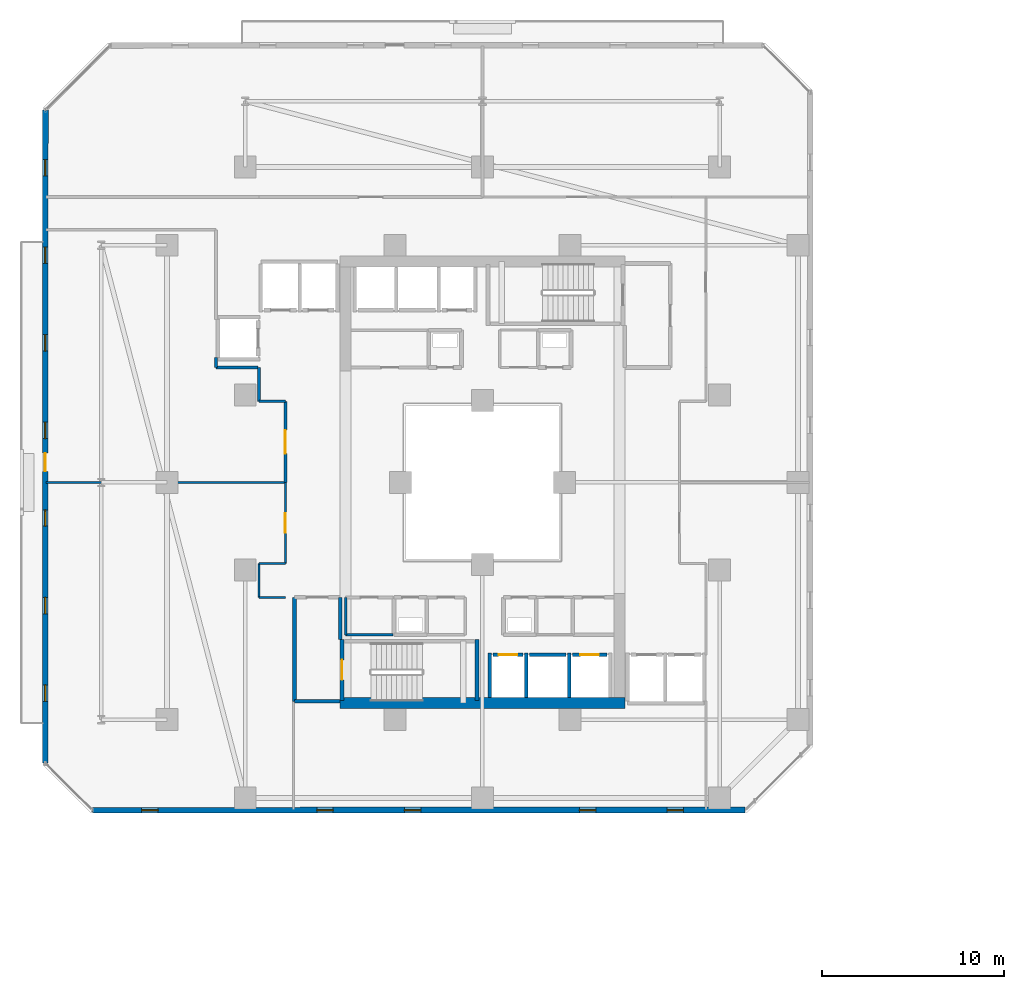
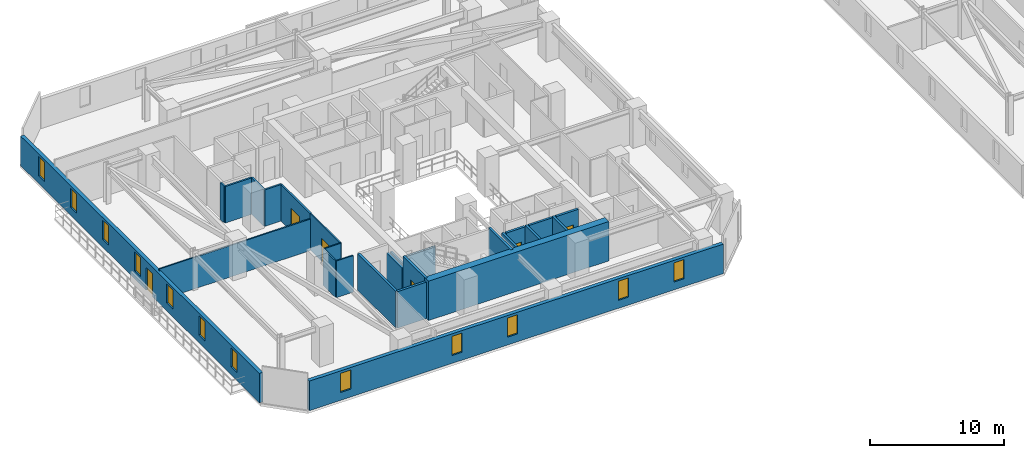
# One storey, part 19 of 33: 26 walls, 12 windows, 6 doors, 18 openings.
"""IFC4 building model written with IfcOpenShell, lengths in metres."""

import ifcopenshell
import ifcopenshell.guid

model = None  # the IFC model being written
_history = None  # IfcOwnerHistory: only IFC2X3 demands one
_inside = {}  # id of a spatial element -> (the spatial element, [elements in it])
_under = {}  # id of a project, library or spatial element -> (it, [spatial elements below it])
_declared = {}  # id of a project -> (the project, [libraries it declares])
_typed = {}  # id of a type object -> (the type object, [elements of that type])
_made_of = {}  # id of a material, layer set ... -> (it, [elements and type objects made of it])


def new_model(schema):
    """Start an empty IFC model of exactly this schema.

    Asked for "IFC4X3", IfcOpenShell would pick the latest addendum, in which some entities
    have other attributes; the version numbers below select the first issue.
    IFC2X3 requires an IfcOwnerHistory on every rooted entity: one is made here for all.
    """
    global model, _history
    if schema == "IFC4X3":
        model = ifcopenshell.file(schema_version=(4, 3, 0, 0))
    else:
        model = ifcopenshell.file(schema=schema)
    _inside.clear()
    _under.clear()
    _declared.clear()
    _typed.clear()
    _made_of.clear()
    _history = None
    if model.schema == "IFC2X3":
        org = make("IfcOrganization", Name="unknown")
        user = make(
            "IfcPersonAndOrganization",
            ThePerson=make("IfcPerson", FamilyName="unknown"),
            TheOrganization=org,
        )
        app = make(
            "IfcApplication",
            ApplicationDeveloper=org,
            Version="unknown",
            ApplicationFullName="unknown",
            ApplicationIdentifier="unknown",
        )
        _history = make(
            "IfcOwnerHistory",
            OwningUser=user,
            OwningApplication=app,
            ChangeAction="ADDED",
            CreationDate=0,
        )
    return model


def make(cls, **values):
    """One entity of the class cls with the attributes given. An attribute that is None is left unset."""
    return model.create_entity(
        cls, **{name: value for name, value in values.items() if value is not None}
    )


def rooted(cls, **values):
    """An entity with a GlobalId (a new one), such as an element, a storey or a relation."""
    return make(cls, GlobalId=ifcopenshell.guid.new(), OwnerHistory=_history, **values)


def si_unit(unit_type, name, prefix=None):
    """IfcSIUnit, for example si_unit("LENGTHUNIT", "METRE", prefix="MILLI")."""
    return make("IfcSIUnit", UnitType=unit_type, Prefix=prefix, Name=name)


def assignment(units):
    """IfcUnitAssignment: the units of a project."""
    return None if units is None else make("IfcUnitAssignment", Units=units)


def point(xyz):
    """IfcCartesianPoint."""
    return None if xyz is None else make("IfcCartesianPoint", Coordinates=xyz)


def direction(xyz):
    """IfcDirection."""
    return None if xyz is None else make("IfcDirection", DirectionRatios=xyz)


def frame(location, z_axis=None, x_axis=None):
    """IfcAxis2Placement3D, a coordinate frame: its origin and axes. An axis left out is left unset."""
    return make(
        "IfcAxis2Placement3D",
        Location=point(location),
        Axis=direction(z_axis),
        RefDirection=direction(x_axis),
    )


def frame_2d(location, x_axis=None):
    """IfcAxis2Placement2D, a coordinate frame in the plane: its origin and x axis."""
    return make(
        "IfcAxis2Placement2D", Location=point(location), RefDirection=direction(x_axis)
    )


def origin():
    """The frame at (0, 0, 0) with its axes left unset."""
    return frame((0.0, 0.0, 0.0))


def place(relative_to, where):
    """IfcLocalPlacement: puts the frame where relative to a parent placement (None: the world)."""
    return make(
        "IfcLocalPlacement", PlacementRelTo=relative_to, RelativePlacement=where
    )


def context(
    kind, dimensions, precision=None, world=None, true_north=None, identifier=None
):
    """IfcGeometricRepresentationContext, for example the 3D "Model" context."""
    return make(
        "IfcGeometricRepresentationContext",
        ContextIdentifier=identifier,
        ContextType=kind,
        CoordinateSpaceDimension=dimensions,
        Precision=precision,
        WorldCoordinateSystem=world,
        TrueNorth=true_north,
    )


def subcontext(parent, identifier, kind, view, scale=None):
    """IfcGeometricRepresentationSubContext, for example "Body" below "Model"."""
    return make(
        "IfcGeometricRepresentationSubContext",
        ContextIdentifier=identifier,
        ContextType=kind,
        ParentContext=parent,
        TargetScale=scale,
        TargetView=view,
    )


def project(units=None, contexts=None):
    """IfcProject with its units and contexts."""
    return rooted(
        "IfcProject",
        Name="project",
        RepresentationContexts=contexts,
        UnitsInContext=assignment(units),
    )


def spatial(cls, under=None, at=None, **own):
    """A site, building, storey or space (cls), placed at a placement, below another one or the project."""
    s = rooted(cls, ObjectPlacement=at, **own)
    if under is not None:
        _under.setdefault(under.id(), (under, []))[1].append(s)
    return s


def profile(cls, at=None, kind="AREA", **sizes):
    """A parametric profile (cls). Its sizes go by their IFC names, for example OverallWidth=200.0."""
    return make(cls, ProfileType=kind, Position=at, **sizes)


def rectangle(**sizes):
    """IfcRectangleProfileDef."""
    return profile("IfcRectangleProfileDef", **sizes)


def extrude(swept, where, along, depth):
    """IfcExtrudedAreaSolid: the profile swept, set in the frame where, extruded along a direction by depth."""
    return make(
        "IfcExtrudedAreaSolid",
        SweptArea=swept,
        Position=where,
        ExtrudedDirection=direction(along),
        Depth=depth,
    )


def shape(context_of_items, identifier, shape_type, items):
    """IfcShapeRepresentation: the items that make up one representation, for example the "Body"."""
    return make(
        "IfcShapeRepresentation",
        ContextOfItems=context_of_items,
        RepresentationIdentifier=identifier,
        RepresentationType=shape_type,
        Items=items,
    )


def material(Name=None, Category=None):
    """IfcMaterial."""
    return make("IfcMaterial", Name=Name, Category=Category)


def layer(
    of_material, thickness, ventilated=None, Name=None, Category=None, Priority=None
):
    """IfcMaterialLayer: one layer of a wall or slab, of a material (None: an air gap)."""
    return make(
        "IfcMaterialLayer",
        Material=of_material,
        LayerThickness=thickness,
        IsVentilated=ventilated,
        Name=Name,
        Category=Category,
        Priority=Priority,
    )


def layer_set(layers, Name=None):
    """IfcMaterialLayerSet."""
    return make("IfcMaterialLayerSet", MaterialLayers=layers, LayerSetName=Name)


def made_of(thing, what):
    """Note that an element or type object is made of a material, layer set ...; save() writes the relation."""
    if what is not None:
        _made_of.setdefault(what.id(), (what, []))[1].append(thing)
    return thing


def type_object(cls, material=None, **own):
    """A type object (cls), such as IfcWallType, which elements share."""
    return made_of(rooted(cls, **own), material)


def element(
    cls,
    number,
    at=None,
    inside=None,
    cuts=None,
    type_object=None,
    material=None,
    context=None,
    identifier="Body",
    shape_type=None,
    held_by="IfcProductDefinitionShape",
    body=None,
    shapes=None,
    **own,
):
    """One element of the class cls, such as IfcWall. Its Tag is "e" and its number.

    at: its placement. inside: the storey or other place that contains it. cuts: it is an
    opening in that element (IfcRelVoidsElement). A single representation is given by context,
    identifier, shape_type and body (its items); several are given by shapes. held_by: the class
    of the entity that holds the representations. save() writes the other relations.
    """
    e = rooted(cls, Tag="e%d" % number, ObjectPlacement=at, **own)
    if body is not None:
        shapes = [shape(context, identifier, shape_type, body)]
    if shapes is not None:
        e.Representation = make(held_by, Representations=shapes)
    if inside is not None:
        _inside.setdefault(inside.id(), (inside, []))[1].append(e)
    if cuts is not None:
        rooted(
            "IfcRelVoidsElement", RelatingBuildingElement=cuts, RelatedOpeningElement=e
        )
    if type_object is not None:
        _typed.setdefault(type_object.id(), (type_object, []))[1].append(e)
    return made_of(e, material)


def fill(opening, filler):
    """IfcRelFillsElement: the door or window that sits in an opening."""
    return rooted(
        "IfcRelFillsElement",
        RelatingOpeningElement=opening,
        RelatedBuildingElement=filler,
    )


def aggregate(whole, parts):
    """IfcRelAggregates: a whole, such as a stair, and the parts it consists of."""
    return rooted("IfcRelAggregates", RelatingObject=whole, RelatedObjects=parts)


def save(model, path):
    """Write the relations noted so far, then the file.

    IfcRelAggregates (storeys below a building ...), IfcRelContainedInSpatialStructure (elements
    in a storey), IfcRelDefinesByType, IfcRelAssociatesMaterial and IfcRelDeclares: one each for
    every whole, place, type object, material and project.
    """
    for whole, parts in _under.values():
        aggregate(whole, parts)
    for where, things in _inside.values():
        rooted(
            "IfcRelContainedInSpatialStructure",
            RelatedElements=things,
            RelatingStructure=where,
        )
    for kind, things in _typed.values():
        rooted("IfcRelDefinesByType", RelatedObjects=things, RelatingType=kind)
    for what, things in _made_of.values():
        rooted("IfcRelAssociatesMaterial", RelatedObjects=things, RelatingMaterial=what)
    for by, libraries in _declared.values():
        rooted("IfcRelDeclares", RelatingContext=by, RelatedDefinitions=libraries)
    model.write(path)


model = new_model("IFC4")

# Units and contexts
model_context = context("Model", 3, precision=1e-05, world=origin(), true_north=direction((0.0, 1.0)))
body_context = subcontext(model_context, "Body", "Model", "MODEL_VIEW")
ifc_project = project(units=[si_unit("LENGTHUNIT", "METRE"), si_unit("AREAUNIT", "SQUARE_METRE"), si_unit("VOLUMEUNIT", "CUBIC_METRE"), si_unit("PLANEANGLEUNIT", "RADIAN"), si_unit("MASSUNIT", "GRAM", prefix="KILO")], contexts=[model_context])

# Site, building, storey
site_placement = place(None, origin())
site = spatial("IfcSite", under=ifc_project, at=site_placement, CompositionType="ELEMENT")
building_placement = place(site_placement, origin())
building = spatial("IfcBuilding", under=site, at=building_placement, Name="Thornwick Lancets Civic Towers", CompositionType="ELEMENT")
storey_placement = place(building_placement, frame((0.0, 0.0, 105.300048828125)))
storey = spatial("IfcBuildingStorey", under=building, at=storey_placement, Name="L27", CompositionType="ELEMENT", Elevation=105.300048828125)

# Wall, opening, door
ifc_material_1 = material(Name="Concrete blockwork C40/50", Category="masonry")
ifc_layer_1 = layer(ifc_material_1, 0.199951171875, Name="Concrete blockwork C40/50")
ifc_layer_set_1 = layer_set([ifc_layer_1], Name="Concrete blockwork C40/50")
wall_type_1 = type_object("IfcWallType", Name="WALL_COMP_200", PredefinedType="STANDARD", material=ifc_layer_set_1)
wall_1_placement = place(storey_placement, frame((26.080078125, 17.550048828125, 0.0), z_axis=(0.0, 0.0, 1.0), x_axis=(1.0, 0.0, 0.0)))
wall_1 = element("IfcWall", 1, at=wall_1_placement, inside=storey, type_object=wall_type_1, Name="L27 Hoistway Front Wall FL-A1", PredefinedType="STANDARD", context=body_context, shape_type="SweptSolid", body=[
    extrude(rectangle(XDim=1.639892578125, YDim=0.199951171875, at=frame_2d((0.81982421875, 0.0))), origin(), (0.0, 0.0, 1.0), 3.33984375),
])
opening_1_placement = place(wall_1_placement, frame((0.31005859375, 0.0, 0.0)))
opening_1 = element("IfcOpeningElement", 2, at=opening_1_placement, cuts=wall_1, Name="Opening LD-FL-A1", PredefinedType="OPENING", context=body_context, shape_type="SweptSolid", body=[
    extrude(rectangle(XDim=1.02001953125, YDim=2.06005859375, at=frame_2d((0.510009765625, 1.030029296875))), frame((0.0, 0.10986328125, 0.0), z_axis=(0.0, -1.0, 0.0), x_axis=(1.0, 0.0, 0.0)), (0.0, 0.0, 1.0), 0.219970703125),
])
ifc_material_2 = material(Name="Brushed bronze stainless steel", Category="steel")
door_type_1 = type_object("IfcDoorType", Name="DOOR_LIFT_SLIDE", OperationType="SLIDING_TO_LEFT", PredefinedType="DOOR", material=ifc_material_2)
door_1_placement = place(opening_1_placement, origin())
door_1 = element("IfcDoor", 3, at=door_1_placement, inside=storey, type_object=door_type_1, Name="L27 Sliding Lift Landing Door LD-FL-A1", OperationType="SLIDING_TO_LEFT", OverallHeight=2.06005859375, OverallWidth=1.02001953125, PredefinedType="DOOR", context=body_context, shape_type="SweptSolid", body=[
    extrude(rectangle(XDim=1.02001953125, YDim=2.06005859375, at=frame_2d((0.510009765625, 1.030029296875))), frame((0.0, 0.02490234375, 0.0), z_axis=(0.0, -1.0, 0.0), x_axis=(1.0, 0.0, 0.0)), (0.0, 0.0, 1.0), 0.050048828125),
])
fill(opening_1, door_1)

# Wall
wall_2_placement = place(storey_placement, frame((28.080078125, 17.550048828125, 0.0), z_axis=(0.0, 0.0, 1.0), x_axis=(1.0, 0.0, 0.0)))
element("IfcWall", 4, at=wall_2_placement, inside=storey, type_object=wall_type_1, Name="L27 Hoistway Front Wall PL-AH1", PredefinedType="STANDARD", context=body_context, shape_type="SweptSolid", body=[
    extrude(rectangle(XDim=1.989990234375, YDim=0.199951171875, at=frame_2d((0.9951171875, 0.0))), origin(), (0.0, 0.0, 1.0), 3.33984375),
])

# Wall, opening, door
wall_3_placement = place(storey_placement, frame((30.429931640625, 17.550048828125, 0.0), z_axis=(0.0, 0.0, 1.0), x_axis=(1.0, 0.0, 0.0)))
wall_3 = element("IfcWall", 5, at=wall_3_placement, inside=storey, type_object=wall_type_1, Name="L27 Hoistway Front Wall PL-AL1", PredefinedType="STANDARD", context=body_context, shape_type="SweptSolid", body=[
    extrude(rectangle(XDim=1.89013671875, YDim=0.199951171875, at=frame_2d((0.945068359375, 0.0))), origin(), (0.0, 0.0, 1.0), 3.33984375),
])
opening_2_placement = place(wall_3_placement, frame((0.43505859375, 0.0, 0.0)))
opening_2 = element("IfcOpeningElement", 6, at=opening_2_placement, cuts=wall_3, Name="Opening LD-PL-AL1", PredefinedType="OPENING", context=body_context, shape_type="SweptSolid", body=[
    extrude(rectangle(XDim=1.02001953125, YDim=2.06005859375, at=frame_2d((0.510009765625, 1.030029296875))), frame((0.0, 0.10986328125, 0.0), z_axis=(0.0, -1.0, 0.0), x_axis=(1.0, 0.0, 0.0)), (0.0, 0.0, 1.0), 0.219970703125),
])
door_2_placement = place(opening_2_placement, origin())
door_2 = element("IfcDoor", 7, at=door_2_placement, inside=storey, type_object=door_type_1, Name="L27 Sliding Lift Landing Door LD-PL-AL1", OperationType="SLIDING_TO_LEFT", OverallHeight=2.06005859375, OverallWidth=1.02001953125, PredefinedType="DOOR", context=body_context, shape_type="SweptSolid", body=[
    extrude(rectangle(XDim=1.02001953125, YDim=2.06005859375, at=frame_2d((0.510009765625, 1.030029296875))), frame((0.0, 0.02490234375, 0.0), z_axis=(0.0, -1.0, 0.0), x_axis=(1.0, 0.0, 0.0)), (0.0, 0.0, 1.0), 0.050048828125),
])
fill(opening_2, door_2)

# Walls
for number, where, z_axis, x_axis, name in (
    (8, (27.89990234375, 15.2119140625, 0.0), (0.0, 0.0, 1.0), (0.0, 1.0, 0.0), "L27 Hoistway Shaft Wall FL-A1 E"),
    (9, (25.89990234375, 15.2119140625, 0.0), (0.0, 0.0, 1.0), (0.0, 1.0, 0.0), "L27 Hoistway Shaft Wall FL-A1 W"),
    (10, (30.25, 15.2119140625, 0.0), (0.0, 0.0, 1.0), (0.0, 1.0, 0.0), "L27 Hoistway Shaft Wall PL-AH1 E"),
):
    element("IfcWall", number, at=place(storey_placement, frame(where, z_axis=z_axis, x_axis=x_axis)), inside=storey, type_object=wall_type_1, Name=name, PredefinedType="STANDARD", context=body_context, shape_type="SweptSolid", body=[
        extrude(rectangle(XDim=2.43603515625, YDim=0.199951171875, at=frame_2d((1.218017578125, 0.0))), origin(), (0.0, 0.0, 1.0), 3.33984375),
    ])
wall_4_placement = place(storey_placement, frame((15.199951171875, 15.0, 0.0), z_axis=(0.0, 0.0, 1.0), x_axis=(1.0, 0.0, 0.0)))
element("IfcWall", 11, at=wall_4_placement, inside=storey, type_object=wall_type_1, Name="L27 Partition L27-A-FFLOB1 E1", PredefinedType="STANDARD", context=body_context, shape_type="SweptSolid", body=[
    extrude(rectangle(XDim=2.5, YDim=0.199951171875, at=frame_2d((1.25, 0.0))), origin(), (0.0, 0.0, 1.0), 3.33984375),
])
wall_5_placement = place(storey_placement, frame((17.699951171875, 18.39990234375, 0.0), z_axis=(0.0, 0.0, 1.0), x_axis=(0.0, 1.0, 0.0)))
element("IfcWall", 12, at=wall_5_placement, inside=storey, type_object=wall_type_1, Name="L27 Partition L27-A-FFLOB1 E2", PredefinedType="STANDARD", context=body_context, shape_type="SweptSolid", body=[
    extrude(rectangle(XDim=2.300048828125, YDim=0.199951171875, at=frame_2d((1.14990234375, 0.0))), origin(), (0.0, 0.0, 1.0), 2.544921875),
])
wall_6_placement = place(storey_placement, frame((15.199951171875, 20.699951171875, 0.0), z_axis=(0.0, 0.0, 1.0), x_axis=(0.0, -1.0, 0.0)))
element("IfcWall", 13, at=wall_6_placement, inside=storey, type_object=wall_type_1, Name="L27 Partition L27-A-FFLOB1 E4", PredefinedType="STANDARD", context=body_context, shape_type="SweptSolid", body=[
    extrude(rectangle(XDim=5.699951171875, YDim=0.199951171875, at=frame_2d((2.85009765625, 0.0))), origin(), (0.0, 0.0, 1.0), 3.33984375),
])
ifc_material_3 = material(Name="Concrete C60/75", Category="concrete")
ifc_layer_2 = layer(ifc_material_3, 0.60009765625, Name="Concrete C60/75")
ifc_layer_set_2 = layer_set([ifc_layer_2], Name="Concrete C60/75")
wall_type_2 = type_object("IfcWallType", Name="WALL_CORE_600", PredefinedType="SHEAR", material=ifc_layer_set_2)
wall_7_placement = place(storey_placement, frame((17.699951171875, 14.89990234375, 0.0), z_axis=(0.0, 0.0, 1.0), x_axis=(1.0, 0.0, 0.0)))
element("IfcWall", 14, at=wall_7_placement, inside=storey, type_object=wall_type_2, Name="L27 Split Core A1 Shear Wall S", PredefinedType="SHEAR", context=body_context, shape_type="SweptSolid", body=[
    extrude(rectangle(XDim=15.60009765625, YDim=0.60009765625, at=frame_2d((7.800048828125, 0.0))), origin(), (0.0, 0.0, 1.0), 3.599853515625),
])

# Wall, openings, windows
ifc_material_4 = material(Name="Insulated buff terracotta rainscreen on concrete C40/50", Category="masonry")
ifc_layer_3 = layer(ifc_material_4, 0.320068359375, Name="Insulated buff terracotta rainscreen on concrete C40/50")
ifc_layer_set_3 = layer_set([ifc_layer_3], Name="Insulated buff terracotta rainscreen on concrete C40/50")
wall_type_3 = type_object("IfcWallType", Name="WALL_EXT_TERRA_320", PredefinedType="STANDARD", material=ifc_layer_set_3)
wall_8_placement = place(storey_placement, frame((4.11865234375, 9.035400390625, 0.0), z_axis=(0.0, 0.0, 1.0), x_axis=(0.999999996067, 8.8693006e-05, 0.0)))
wall_8 = element("IfcWall", 15, at=wall_8_placement, inside=storey, type_object=wall_type_3, Name="L27 Tower A Terracotta Facade Wall E0", PredefinedType="STANDARD", context=body_context, shape_type="SweptSolid", body=[
    extrude(rectangle(XDim=35.784423828125, YDim=0.320068359375, at=frame_2d((17.89208984375, 0.0))), origin(), (0.0, 0.0, 1.0), 2.699951171875),
])
opening_3_placement = place(wall_8_placement, frame((2.699951171875, 0.0, 0.719970703125)))
opening_3 = element("IfcOpeningElement", 16, at=opening_3_placement, cuts=wall_8, Name="Opening WL-01", PredefinedType="OPENING", context=body_context, shape_type="SweptSolid", body=[
    extrude(rectangle(XDim=0.89990234375, YDim=1.75, at=frame_2d((0.449951171875, 0.875))), frame((0.0, 0.169921875, 0.0), z_axis=(0.0, -1.0, 0.0), x_axis=(1.0, 0.0, 0.0)), (0.0, 0.0, 1.0), 0.340087890625),
])
opening_4_placement = place(wall_8_placement, frame((12.300048828125, 0.0, 0.719970703125)))
opening_4 = element("IfcOpeningElement", 17, at=opening_4_placement, cuts=wall_8, Name="Opening WL-01", PredefinedType="OPENING", context=body_context, shape_type="SweptSolid", body=[
    extrude(rectangle(XDim=0.89990234375, YDim=1.75, at=frame_2d((0.449951171875, 0.875))), frame((0.0, 0.169921875, 0.0), z_axis=(0.0, -1.0, 0.0), x_axis=(1.0, 0.0, 0.0)), (0.0, 0.0, 1.0), 0.340087890625),
])
opening_5_placement = place(wall_8_placement, frame((17.10009765625, 0.0, 0.719970703125)))
opening_5 = element("IfcOpeningElement", 18, at=opening_5_placement, cuts=wall_8, Name="Opening WL-01", PredefinedType="OPENING", context=body_context, shape_type="SweptSolid", body=[
    extrude(rectangle(XDim=0.89990234375, YDim=1.75, at=frame_2d((0.449951171875, 0.875))), frame((0.0, 0.169921875, 0.0), z_axis=(0.0, -1.0, 0.0), x_axis=(1.0, 0.0, 0.0)), (0.0, 0.0, 1.0), 0.340087890625),
])
opening_6_placement = place(wall_8_placement, frame((26.699951171875, 0.0, 0.719970703125)))
opening_6 = element("IfcOpeningElement", 19, at=opening_6_placement, cuts=wall_8, Name="Opening WL-01", PredefinedType="OPENING", context=body_context, shape_type="SweptSolid", body=[
    extrude(rectangle(XDim=0.89990234375, YDim=1.75, at=frame_2d((0.449951171875, 0.875))), frame((0.0, 0.169921875, 0.0), z_axis=(0.0, -1.0, 0.0), x_axis=(1.0, 0.0, 0.0)), (0.0, 0.0, 1.0), 0.340087890625),
])
opening_7_placement = place(wall_8_placement, frame((31.5, 0.0, 0.719970703125)))
opening_7 = element("IfcOpeningElement", 20, at=opening_7_placement, cuts=wall_8, Name="Opening WL-01", PredefinedType="OPENING", context=body_context, shape_type="SweptSolid", body=[
    extrude(rectangle(XDim=0.89990234375, YDim=1.75, at=frame_2d((0.449951171875, 0.875))), frame((0.0, 0.169921875, 0.0), z_axis=(0.0, -1.0, 0.0), x_axis=(1.0, 0.0, 0.0)), (0.0, 0.0, 1.0), 0.340087890625),
])
ifc_material_5 = material(Name="Clear low-e double glazing in bronze frame", Category="glass")
window_type = type_object("IfcWindowType", Name="WIN_LANCET_900", PartitioningType="SINGLE_PANEL", PredefinedType="WINDOW", material=ifc_material_5)
window_1_placement = place(opening_3_placement, origin())
window_1 = element("IfcWindow", 21, at=window_1_placement, inside=storey, type_object=window_type, Name="L27 Tower A Staggered Lancet Window E0-1", OverallHeight=1.75, OverallWidth=0.89990234375, PartitioningType="SINGLE_PANEL", PredefinedType="WINDOW", context=body_context, shape_type="SweptSolid", body=[
    extrude(rectangle(XDim=0.89990234375, YDim=1.75, at=frame_2d((0.449951171875, 0.875))), frame((0.0, 0.030029296875, 0.0), z_axis=(0.0, -1.0, 0.0), x_axis=(1.0, 0.0, 0.0)), (0.0, 0.0, 1.0), 0.06005859375),
])
fill(opening_3, window_1)
window_2_placement = place(opening_4_placement, origin())
window_2 = element("IfcWindow", 22, at=window_2_placement, inside=storey, type_object=window_type, Name="L27 Tower A Staggered Lancet Window E0-2", OverallHeight=1.75, OverallWidth=0.89990234375, PartitioningType="SINGLE_PANEL", PredefinedType="WINDOW", context=body_context, shape_type="SweptSolid", body=[
    extrude(rectangle(XDim=0.89990234375, YDim=1.75, at=frame_2d((0.449951171875, 0.875))), frame((0.0, 0.030029296875, 0.0), z_axis=(0.0, -1.0, 0.0), x_axis=(1.0, 0.0, 0.0)), (0.0, 0.0, 1.0), 0.06005859375),
])
fill(opening_4, window_2)
window_3_placement = place(opening_5_placement, origin())
window_3 = element("IfcWindow", 23, at=window_3_placement, inside=storey, type_object=window_type, Name="L27 Tower A Staggered Lancet Window E0-3", OverallHeight=1.75, OverallWidth=0.89990234375, PartitioningType="SINGLE_PANEL", PredefinedType="WINDOW", context=body_context, shape_type="SweptSolid", body=[
    extrude(rectangle(XDim=0.89990234375, YDim=1.75, at=frame_2d((0.449951171875, 0.875))), frame((0.0, 0.030029296875, 0.0), z_axis=(0.0, -1.0, 0.0), x_axis=(1.0, 0.0, 0.0)), (0.0, 0.0, 1.0), 0.06005859375),
])
fill(opening_5, window_3)
window_4_placement = place(opening_6_placement, origin())
window_4 = element("IfcWindow", 24, at=window_4_placement, inside=storey, type_object=window_type, Name="L27 Tower A Staggered Lancet Window E0-4", OverallHeight=1.75, OverallWidth=0.89990234375, PartitioningType="SINGLE_PANEL", PredefinedType="WINDOW", context=body_context, shape_type="SweptSolid", body=[
    extrude(rectangle(XDim=0.89990234375, YDim=1.75, at=frame_2d((0.449951171875, 0.875))), frame((0.0, 0.030029296875, 0.0), z_axis=(0.0, -1.0, 0.0), x_axis=(1.0, 0.0, 0.0)), (0.0, 0.0, 1.0), 0.06005859375),
])
fill(opening_6, window_4)
window_5_placement = place(opening_7_placement, origin())
window_5 = element("IfcWindow", 25, at=window_5_placement, inside=storey, type_object=window_type, Name="L27 Tower A Staggered Lancet Window E0-5", OverallHeight=1.75, OverallWidth=0.89990234375, PartitioningType="SINGLE_PANEL", PredefinedType="WINDOW", context=body_context, shape_type="SweptSolid", body=[
    extrude(rectangle(XDim=0.89990234375, YDim=1.75, at=frame_2d((0.449951171875, 0.875))), frame((0.0, 0.030029296875, 0.0), z_axis=(0.0, -1.0, 0.0), x_axis=(1.0, 0.0, 0.0)), (0.0, 0.0, 1.0), 0.06005859375),
])
fill(opening_7, window_5)

# Wall, openings, door, windows
wall_9_placement = place(storey_placement, frame((1.53857421875, 47.403076171875, 0.0), z_axis=(0.0, 0.0, 1.0), x_axis=(-8.8693006e-05, -0.999999996067, 0.0)))
wall_9 = element("IfcWall", 26, at=wall_9_placement, inside=storey, type_object=wall_type_3, Name="L27 Tower A Terracotta Facade Wall E6", PredefinedType="STANDARD", context=body_context, shape_type="SweptSolid", body=[
    extrude(rectangle(XDim=35.784423828125, YDim=0.320068359375, at=frame_2d((17.89208984375, 0.0))), origin(), (0.0, 0.0, 1.0), 2.699951171875),
])
opening_8_placement = place(wall_9_placement, frame((18.792236328125, 0.0, 0.0)))
opening_8 = element("IfcOpeningElement", 27, at=opening_8_placement, cuts=wall_9, Name="Opening D-BL-L27-AW", PredefinedType="OPENING", context=body_context, shape_type="SweptSolid", body=[
    extrude(rectangle(XDim=1.0, YDim=2.080078125, at=frame_2d((0.5, 1.0400390625))), frame((0.0, 0.169921875, 0.0), z_axis=(0.0, -1.0, 0.0), x_axis=(1.0, 0.0, 0.0)), (0.0, 0.0, 1.0), 0.340087890625),
])
opening_9_placement = place(wall_9_placement, frame((2.699951171875, 0.0, 0.719970703125)))
opening_9 = element("IfcOpeningElement", 28, at=opening_9_placement, cuts=wall_9, Name="Opening WL-01", PredefinedType="OPENING", context=body_context, shape_type="SweptSolid", body=[
    extrude(rectangle(XDim=0.89990234375, YDim=1.75, at=frame_2d((0.449951171875, 0.875))), frame((0.0, 0.169921875, 0.0), z_axis=(0.0, -1.0, 0.0), x_axis=(1.0, 0.0, 0.0)), (0.0, 0.0, 1.0), 0.340087890625),
])
opening_10_placement = place(wall_9_placement, frame((7.5, 0.0, 0.719970703125)))
opening_10 = element("IfcOpeningElement", 29, at=opening_10_placement, cuts=wall_9, Name="Opening WL-01", PredefinedType="OPENING", context=body_context, shape_type="SweptSolid", body=[
    extrude(rectangle(XDim=0.89990234375, YDim=1.75, at=frame_2d((0.449951171875, 0.875))), frame((0.0, 0.169921875, 0.0), z_axis=(0.0, -1.0, 0.0), x_axis=(1.0, 0.0, 0.0)), (0.0, 0.0, 1.0), 0.340087890625),
])
opening_11_placement = place(wall_9_placement, frame((12.300048828125, 0.0, 0.719970703125)))
opening_11 = element("IfcOpeningElement", 30, at=opening_11_placement, cuts=wall_9, Name="Opening WL-01", PredefinedType="OPENING", context=body_context, shape_type="SweptSolid", body=[
    extrude(rectangle(XDim=0.89990234375, YDim=1.75, at=frame_2d((0.449951171875, 0.875))), frame((0.0, 0.169921875, 0.0), z_axis=(0.0, -1.0, 0.0), x_axis=(1.0, 0.0, 0.0)), (0.0, 0.0, 1.0), 0.340087890625),
])
opening_12_placement = place(wall_9_placement, frame((17.10009765625, 0.0, 0.719970703125)))
opening_12 = element("IfcOpeningElement", 31, at=opening_12_placement, cuts=wall_9, Name="Opening WL-01", PredefinedType="OPENING", context=body_context, shape_type="SweptSolid", body=[
    extrude(rectangle(XDim=0.89990234375, YDim=1.75, at=frame_2d((0.449951171875, 0.875))), frame((0.0, 0.169921875, 0.0), z_axis=(0.0, -1.0, 0.0), x_axis=(1.0, 0.0, 0.0)), (0.0, 0.0, 1.0), 0.340087890625),
])
opening_13_placement = place(wall_9_placement, frame((21.89990234375, 0.0, 0.719970703125)))
opening_13 = element("IfcOpeningElement", 32, at=opening_13_placement, cuts=wall_9, Name="Opening WL-01", PredefinedType="OPENING", context=body_context, shape_type="SweptSolid", body=[
    extrude(rectangle(XDim=0.89990234375, YDim=1.75, at=frame_2d((0.449951171875, 0.875))), frame((0.0, 0.169921875, 0.0), z_axis=(0.0, -1.0, 0.0), x_axis=(1.0, 0.0, 0.0)), (0.0, 0.0, 1.0), 0.340087890625),
])
opening_14_placement = place(wall_9_placement, frame((26.699951171875, 0.0, 0.719970703125)))
opening_14 = element("IfcOpeningElement", 33, at=opening_14_placement, cuts=wall_9, Name="Opening WL-01", PredefinedType="OPENING", context=body_context, shape_type="SweptSolid", body=[
    extrude(rectangle(XDim=0.89990234375, YDim=1.75, at=frame_2d((0.449951171875, 0.875))), frame((0.0, 0.169921875, 0.0), z_axis=(0.0, -1.0, 0.0), x_axis=(1.0, 0.0, 0.0)), (0.0, 0.0, 1.0), 0.340087890625),
])
opening_15_placement = place(wall_9_placement, frame((31.5, 0.0, 0.719970703125)))
opening_15 = element("IfcOpeningElement", 34, at=opening_15_placement, cuts=wall_9, Name="Opening WL-01", PredefinedType="OPENING", context=body_context, shape_type="SweptSolid", body=[
    extrude(rectangle(XDim=0.89990234375, YDim=1.75, at=frame_2d((0.449951171875, 0.875))), frame((0.0, 0.169921875, 0.0), z_axis=(0.0, -1.0, 0.0), x_axis=(1.0, 0.0, 0.0)), (0.0, 0.0, 1.0), 0.340087890625),
])
ifc_material_6 = material(Name="Thermally broken glazed loggia doorset")
door_type_2 = type_object("IfcDoorType", Name="DOOR_BALC_1000", OperationType="NOTDEFINED", PredefinedType="DOOR", material=ifc_material_6)
door_3_placement = place(opening_8_placement, origin())
door_3 = element("IfcDoor", 35, at=door_3_placement, inside=storey, type_object=door_type_2, Name="L27 Tower A Loggia Balcony Door W", OperationType="SINGLE_SWING_RIGHT", OverallHeight=2.080078125, OverallWidth=1.0, PredefinedType="DOOR", context=body_context, shape_type="SweptSolid", body=[
    extrude(rectangle(XDim=1.0, YDim=2.080078125, at=frame_2d((0.5, 1.0400390625))), frame((0.0, 0.02490234375, 0.0), z_axis=(0.0, -1.0, 0.0), x_axis=(1.0, 0.0, 0.0)), (0.0, 0.0, 1.0), 0.050048828125),
])
fill(opening_8, door_3)
window_6_placement = place(opening_9_placement, origin())
window_6 = element("IfcWindow", 36, at=window_6_placement, inside=storey, type_object=window_type, Name="L27 Tower A Staggered Lancet Window E6-1", OverallHeight=1.75, OverallWidth=0.89990234375, PartitioningType="SINGLE_PANEL", PredefinedType="WINDOW", context=body_context, shape_type="SweptSolid", body=[
    extrude(rectangle(XDim=0.89990234375, YDim=1.75, at=frame_2d((0.449951171875, 0.875))), frame((0.0, 0.030029296875, 0.0), z_axis=(0.0, -1.0, 0.0), x_axis=(1.0, 0.0, 0.0)), (0.0, 0.0, 1.0), 0.06005859375),
])
fill(opening_9, window_6)
window_7_placement = place(opening_10_placement, origin())
window_7 = element("IfcWindow", 37, at=window_7_placement, inside=storey, type_object=window_type, Name="L27 Tower A Staggered Lancet Window E6-2", OverallHeight=1.75, OverallWidth=0.89990234375, PartitioningType="SINGLE_PANEL", PredefinedType="WINDOW", context=body_context, shape_type="SweptSolid", body=[
    extrude(rectangle(XDim=0.89990234375, YDim=1.75, at=frame_2d((0.449951171875, 0.875))), frame((0.0, 0.030029296875, 0.0), z_axis=(0.0, -1.0, 0.0), x_axis=(1.0, 0.0, 0.0)), (0.0, 0.0, 1.0), 0.06005859375),
])
fill(opening_10, window_7)
window_8_placement = place(opening_11_placement, origin())
window_8 = element("IfcWindow", 38, at=window_8_placement, inside=storey, type_object=window_type, Name="L27 Tower A Staggered Lancet Window E6-3", OverallHeight=1.75, OverallWidth=0.89990234375, PartitioningType="SINGLE_PANEL", PredefinedType="WINDOW", context=body_context, shape_type="SweptSolid", body=[
    extrude(rectangle(XDim=0.89990234375, YDim=1.75, at=frame_2d((0.449951171875, 0.875))), frame((0.0, 0.030029296875, 0.0), z_axis=(0.0, -1.0, 0.0), x_axis=(1.0, 0.0, 0.0)), (0.0, 0.0, 1.0), 0.06005859375),
])
fill(opening_11, window_8)
window_9_placement = place(opening_12_placement, origin())
window_9 = element("IfcWindow", 39, at=window_9_placement, inside=storey, type_object=window_type, Name="L27 Tower A Staggered Lancet Window E6-4", OverallHeight=1.75, OverallWidth=0.89990234375, PartitioningType="SINGLE_PANEL", PredefinedType="WINDOW", context=body_context, shape_type="SweptSolid", body=[
    extrude(rectangle(XDim=0.89990234375, YDim=1.75, at=frame_2d((0.449951171875, 0.875))), frame((0.0, 0.030029296875, 0.0), z_axis=(0.0, -1.0, 0.0), x_axis=(1.0, 0.0, 0.0)), (0.0, 0.0, 1.0), 0.06005859375),
])
fill(opening_12, window_9)
window_10_placement = place(opening_13_placement, origin())
window_10 = element("IfcWindow", 40, at=window_10_placement, inside=storey, type_object=window_type, Name="L27 Tower A Staggered Lancet Window E6-5", OverallHeight=1.75, OverallWidth=0.89990234375, PartitioningType="SINGLE_PANEL", PredefinedType="WINDOW", context=body_context, shape_type="SweptSolid", body=[
    extrude(rectangle(XDim=0.89990234375, YDim=1.75, at=frame_2d((0.449951171875, 0.875))), frame((0.0, 0.030029296875, 0.0), z_axis=(0.0, -1.0, 0.0), x_axis=(1.0, 0.0, 0.0)), (0.0, 0.0, 1.0), 0.06005859375),
])
fill(opening_13, window_10)
window_11_placement = place(opening_14_placement, origin())
window_11 = element("IfcWindow", 41, at=window_11_placement, inside=storey, type_object=window_type, Name="L27 Tower A Staggered Lancet Window E6-6", OverallHeight=1.75, OverallWidth=0.89990234375, PartitioningType="SINGLE_PANEL", PredefinedType="WINDOW", context=body_context, shape_type="SweptSolid", body=[
    extrude(rectangle(XDim=0.89990234375, YDim=1.75, at=frame_2d((0.449951171875, 0.875))), frame((0.0, 0.030029296875, 0.0), z_axis=(0.0, -1.0, 0.0), x_axis=(1.0, 0.0, 0.0)), (0.0, 0.0, 1.0), 0.06005859375),
])
fill(opening_14, window_11)
window_12_placement = place(opening_15_placement, origin())
window_12 = element("IfcWindow", 42, at=window_12_placement, inside=storey, type_object=window_type, Name="L27 Tower A Staggered Lancet Window E6-7", OverallHeight=1.75, OverallWidth=0.89990234375, PartitioningType="SINGLE_PANEL", PredefinedType="WINDOW", context=body_context, shape_type="SweptSolid", body=[
    extrude(rectangle(XDim=0.89990234375, YDim=1.75, at=frame_2d((0.449951171875, 0.875))), frame((0.0, 0.030029296875, 0.0), z_axis=(0.0, -1.0, 0.0), x_axis=(1.0, 0.0, 0.0)), (0.0, 0.0, 1.0), 0.06005859375),
])
fill(opening_15, window_12)

# Wall
ifc_material_7 = material(Name="Acoustic gypsum board partition")
ifc_layer_4 = layer(ifc_material_7, 0.1201171875, Name="Acoustic gypsum board partition")
ifc_layer_set_4 = layer_set([ifc_layer_4], Name="Acoustic gypsum board partition")
wall_type_4 = type_object("IfcWallType", Name="WALL_PART_120", PredefinedType="PARTITIONING", material=ifc_layer_set_4)
wall_10_placement = place(storey_placement, frame((1.580078125, 27.0, 0.0), z_axis=(0.0, 0.0, 1.0), x_axis=(1.0, 0.0, 0.0)))
element("IfcWall", 43, at=wall_10_placement, inside=storey, type_object=wall_type_4, Name="L27 Partition L27-A-W1 E2", PredefinedType="PARTITIONING", context=body_context, shape_type="SweptSolid", body=[
    extrude(rectangle(XDim=13.119873046875, YDim=0.1201171875, at=frame_2d((6.56005859375, 0.0))), origin(), (0.0, 0.0, 1.0), 2.877685546875),
])

# Wall, opening, door
wall_11_placement = place(storey_placement, frame((14.699951171875, 27.0, 0.0), z_axis=(0.0, 0.0, 1.0), x_axis=(0.0, -1.0, 0.0)))
wall_11 = element("IfcWall", 44, at=wall_11_placement, inside=storey, type_object=wall_type_4, Name="L27 Partition L27-A-W1 E3", PredefinedType="PARTITIONING", context=body_context, shape_type="SweptSolid", body=[
    extrude(rectangle(XDim=4.449951171875, YDim=0.1201171875, at=frame_2d((2.22509765625, 0.0))), origin(), (0.0, 0.0, 1.0), 3.33984375),
])
opening_16_placement = place(wall_11_placement, frame((1.699951171875, 0.0, 0.0)))
opening_16 = element("IfcOpeningElement", 45, at=opening_16_placement, cuts=wall_11, Name="Opening D-L27-1257", PredefinedType="OPENING", context=body_context, shape_type="SweptSolid", body=[
    extrude(rectangle(XDim=1.050048828125, YDim=2.10009765625, at=frame_2d((0.52490234375, 1.050048828125))), frame((0.0, 0.070068359375, 0.0), z_axis=(0.0, -1.0, 0.0), x_axis=(1.0, 0.0, 0.0)), (0.0, 0.0, 1.0), 0.14013671875),
])
ifc_material_8 = material(Name="Glazed European oak executive doorset")
door_type_3 = type_object("IfcDoorType", Name="DOOR_OFFICE_1050", OperationType="NOTDEFINED", PredefinedType="DOOR", material=ifc_material_8)
door_4_placement = place(opening_16_placement, origin())
door_4 = element("IfcDoor", 46, at=door_4_placement, inside=storey, type_object=door_type_3, Name="L27 Tower A Ministry Directorate Office W1 Door", OperationType="SINGLE_SWING_RIGHT", OverallHeight=2.10009765625, OverallWidth=1.050048828125, PredefinedType="DOOR", context=body_context, shape_type="SweptSolid", body=[
    extrude(rectangle(XDim=1.050048828125, YDim=2.10009765625, at=frame_2d((0.52490234375, 1.050048828125))), frame((0.0, 0.02490234375, 0.0), z_axis=(0.0, -1.0, 0.0), x_axis=(1.0, 0.0, 0.0)), (0.0, 0.0, 1.0), 0.050048828125),
])
fill(opening_16, door_4)

# Walls
wall_12_placement = place(storey_placement, frame((14.699951171875, 22.550048828125, 0.0), z_axis=(0.0, 0.0, 1.0), x_axis=(-1.0, 0.0, 0.0)))
element("IfcWall", 47, at=wall_12_placement, inside=storey, type_object=wall_type_4, Name="L27 Partition L27-A-W1 E4", PredefinedType="PARTITIONING", context=body_context, shape_type="SweptSolid", body=[
    extrude(rectangle(XDim=1.449951171875, YDim=0.1201171875, at=frame_2d((0.72509765625, 0.0))), origin(), (0.0, 0.0, 1.0), 3.33984375),
])
wall_13_placement = place(storey_placement, frame((13.25, 22.550048828125, 0.0), z_axis=(0.0, 0.0, 1.0), x_axis=(0.0, -1.0, 0.0)))
element("IfcWall", 48, at=wall_13_placement, inside=storey, type_object=wall_type_4, Name="L27 Partition L27-A-W1 E5", PredefinedType="PARTITIONING", context=body_context, shape_type="SweptSolid", body=[
    extrude(rectangle(XDim=1.85009765625, YDim=0.1201171875, at=frame_2d((0.925048828125, 0.0))), origin(), (0.0, 0.0, 1.0), 3.33984375),
])
wall_14_placement = place(storey_placement, frame((13.25, 20.699951171875, 0.0), z_axis=(0.0, 0.0, 1.0), x_axis=(1.0, 0.0, 0.0)))
element("IfcWall", 49, at=wall_14_placement, inside=storey, type_object=wall_type_4, Name="L27 Partition L27-A-W1 E6", PredefinedType="PARTITIONING", context=body_context, shape_type="SweptSolid", body=[
    extrude(rectangle(XDim=1.449951171875, YDim=0.1201171875, at=frame_2d((0.72509765625, 0.0))), origin(), (0.0, 0.0, 1.0), 3.33984375),
])
ifc_material_9 = material(Name="Twin-stud acoustic gypsum board")
ifc_layer_5 = layer(ifc_material_9, 0.14990234375, Name="Twin-stud acoustic gypsum board")
ifc_layer_set_5 = layer_set([ifc_layer_5], Name="Twin-stud acoustic gypsum board")
wall_type_5 = type_object("IfcWallType", Name="WALL_PART_150", PredefinedType="PARTITIONING", material=ifc_layer_set_5)
wall_15_placement = place(storey_placement, frame((18.0, 18.64990234375, 0.0), z_axis=(0.0, 0.0, 1.0), x_axis=(1.0, 0.0, 0.0)))
element("IfcWall", 50, at=wall_15_placement, inside=storey, type_object=wall_type_5, Name="L27 Partition L27-A-MWC E1", PredefinedType="PARTITIONING", context=body_context, shape_type="SweptSolid", body=[
    extrude(rectangle(XDim=2.60009765625, YDim=0.14990234375, at=frame_2d((1.300048828125, 0.0))), origin(), (0.0, 0.0, 1.0), 3.33984375),
])
wall_16_placement = place(storey_placement, frame((18.0, 20.699951171875, 0.0), z_axis=(0.0, 0.0, 1.0), x_axis=(0.0, -1.0, 0.0)))
element("IfcWall", 51, at=wall_16_placement, inside=storey, type_object=wall_type_5, Name="L27 Partition L27-A-MWC E4", PredefinedType="PARTITIONING", context=body_context, shape_type="SweptSolid", body=[
    extrude(rectangle(XDim=2.050048828125, YDim=0.14990234375, at=frame_2d((1.02490234375, 0.0))), origin(), (0.0, 0.0, 1.0), 2.544921875),
])
wall_17_placement = place(storey_placement, frame((10.89990234375, 33.862060546875, 0.0), z_axis=(0.0, 0.0, 1.0), x_axis=(0.0, -1.0, 0.0)))
element("IfcWall", 52, at=wall_17_placement, inside=storey, type_object=wall_type_5, Name="L27 Partition L27-A-W2 E1", PredefinedType="PARTITIONING", context=body_context, shape_type="SweptSolid", body=[
    extrude(rectangle(XDim=0.56201171875, YDim=0.14990234375, at=frame_2d((0.281005859375, 0.0))), origin(), (0.0, 0.0, 1.0), 3.33984375),
])
wall_18_placement = place(storey_placement, frame((10.89990234375, 33.300048828125, 0.0), z_axis=(0.0, 0.0, 1.0), x_axis=(1.0, 0.0, 0.0)))
element("IfcWall", 53, at=wall_18_placement, inside=storey, type_object=wall_type_5, Name="L27 Partition L27-A-W2 E2", PredefinedType="PARTITIONING", context=body_context, shape_type="SweptSolid", body=[
    extrude(rectangle(XDim=2.300048828125, YDim=0.14990234375, at=frame_2d((1.14990234375, 0.0))), origin(), (0.0, 0.0, 1.0), 3.33984375),
])
wall_19_placement = place(storey_placement, frame((13.25, 33.300048828125, 0.0), z_axis=(0.0, 0.0, 1.0), x_axis=(0.0, -1.0, 0.0)))
element("IfcWall", 54, at=wall_19_placement, inside=storey, type_object=wall_type_5, Name="L27 Partition L27-A-W2 E4", PredefinedType="PARTITIONING", context=body_context, shape_type="SweptSolid", body=[
    extrude(rectangle(XDim=1.85009765625, YDim=0.14990234375, at=frame_2d((0.925048828125, 0.0))), origin(), (0.0, 0.0, 1.0), 3.33984375),
])
wall_20_placement = place(storey_placement, frame((13.25, 31.449951171875, 0.0), z_axis=(0.0, 0.0, 1.0), x_axis=(1.0, 0.0, 0.0)))
element("IfcWall", 55, at=wall_20_placement, inside=storey, type_object=wall_type_5, Name="L27 Partition L27-A-W2 E5", PredefinedType="PARTITIONING", context=body_context, shape_type="SweptSolid", body=[
    extrude(rectangle(XDim=1.449951171875, YDim=0.14990234375, at=frame_2d((0.72509765625, 0.0))), origin(), (0.0, 0.0, 1.0), 3.33984375),
])

# Wall, opening, door
wall_21_placement = place(storey_placement, frame((14.699951171875, 31.449951171875, 0.0), z_axis=(0.0, 0.0, 1.0), x_axis=(0.0, -1.0, 0.0)))
wall_21 = element("IfcWall", 56, at=wall_21_placement, inside=storey, type_object=wall_type_5, Name="L27 Partition L27-A-W2 E6", PredefinedType="PARTITIONING", context=body_context, shape_type="SweptSolid", body=[
    extrude(rectangle(XDim=4.449951171875, YDim=0.14990234375, at=frame_2d((2.22509765625, 0.0))), origin(), (0.0, 0.0, 1.0), 3.33984375),
])
opening_17_placement = place(wall_21_placement, frame((1.574951171875, 0.0, 0.0)))
opening_17 = element("IfcOpeningElement", 57, at=opening_17_placement, cuts=wall_21, Name="Opening D-L27-1258", PredefinedType="OPENING", context=body_context, shape_type="SweptSolid", body=[
    extrude(rectangle(XDim=1.300048828125, YDim=2.1201171875, at=frame_2d((0.64990234375, 1.06005859375))), frame((0.0, 0.0849609375, 0.0), z_axis=(0.0, -1.0, 0.0), x_axis=(1.0, 0.0, 0.0)), (0.0, 0.0, 1.0), 0.169921875),
])
ifc_material_10 = material(Name="Acoustic oak leaf-and-a-half doorset")
door_type_4 = type_object("IfcDoorType", Name="DOOR_MEET_1300", OperationType="DOUBLE_DOOR_SINGLE_SWING", PredefinedType="DOOR", material=ifc_material_10)
door_5_placement = place(opening_17_placement, origin())
door_5 = element("IfcDoor", 58, at=door_5_placement, inside=storey, type_object=door_type_4, Name="L27 Tower A Policy Briefing Room W2 Door", OperationType="DOUBLE_DOOR_SINGLE_SWING", OverallHeight=2.1201171875, OverallWidth=1.300048828125, PredefinedType="DOOR", context=body_context, shape_type="SweptSolid", body=[
    extrude(rectangle(XDim=1.300048828125, YDim=2.1201171875, at=frame_2d((0.64990234375, 1.06005859375))), frame((0.0, 0.02490234375, 0.0), z_axis=(0.0, -1.0, 0.0), x_axis=(1.0, 0.0, 0.0)), (0.0, 0.0, 1.0), 0.050048828125),
])
fill(opening_17, door_5)

ifc_material_11 = material(Name="Concrete C40/50", Category="concrete")
ifc_layer_6 = layer(ifc_material_11, 0.199951171875, Name="Concrete C40/50")
ifc_layer_set_6 = layer_set([ifc_layer_6], Name="Concrete C40/50")
wall_type_6 = type_object("IfcWallType", Name="WALL_SHAFT_200", PredefinedType="SHEAR", material=ifc_layer_set_6)
wall_22_placement = place(storey_placement, frame((17.800048828125, 15.050048828125, 0.0), z_axis=(0.0, 0.0, 1.0), x_axis=(0.0, 1.0, 0.0)))
wall_22 = element("IfcWall", 59, at=wall_22_placement, inside=storey, type_object=wall_type_6, Name="L27 ST-A1 Fire Stair Core Wall NEAR", PredefinedType="SHEAR", context=body_context, shape_type="SweptSolid", body=[
    extrude(rectangle(XDim=3.349853515625, YDim=0.199951171875, at=frame_2d((1.6748046875, 0.0))), origin(), (0.0, 0.0, 1.0), 3.599853515625),
])
opening_18_placement = place(wall_22_placement, frame((1.125, 0.0, 0.0)))
opening_18 = element("IfcOpeningElement", 60, at=opening_18_placement, cuts=wall_22, Name="Opening D-ST-A1-L27", PredefinedType="OPENING", context=body_context, shape_type="SweptSolid", body=[
    extrude(rectangle(XDim=1.10009765625, YDim=2.10009765625, at=frame_2d((0.550048828125, 1.050048828125))), frame((0.0, 0.10986328125, 0.0), z_axis=(0.0, -1.0, 0.0), x_axis=(1.0, 0.0, 0.0)), (0.0, 0.0, 1.0), 0.219970703125),
])
ifc_material_12 = material(Name="Fire-resisting steel and hardwood", Category="steel")
door_type_5 = type_object("IfcDoorType", Name="DOOR_STAIR_FD60", OperationType="NOTDEFINED", PredefinedType="DOOR", material=ifc_material_12)
door_6_placement = place(opening_18_placement, origin())
door_6 = element("IfcDoor", 61, at=door_6_placement, inside=storey, type_object=door_type_5, Name="L27 ST-A1 Exit Stair Door", OperationType="SINGLE_SWING_RIGHT", OverallHeight=2.10009765625, OverallWidth=1.10009765625, PredefinedType="DOOR", context=body_context, shape_type="SweptSolid", body=[
    extrude(rectangle(XDim=1.10009765625, YDim=2.10009765625, at=frame_2d((0.550048828125, 1.050048828125))), frame((0.0, 0.02490234375, 0.0), z_axis=(0.0, -1.0, 0.0), x_axis=(1.0, 0.0, 0.0)), (0.0, 0.0, 1.0), 0.050048828125),
])
fill(opening_18, door_6)

# Wall
wall_23_placement = place(storey_placement, frame((25.199951171875, 18.39990234375, 0.0), z_axis=(0.0, 0.0, 1.0), x_axis=(0.0, -1.0, 0.0)))
element("IfcWall", 62, at=wall_23_placement, inside=storey, type_object=wall_type_6, Name="L27 ST-A1 Fire Stair Core Wall FAR", PredefinedType="SHEAR", context=body_context, shape_type="SweptSolid", body=[
    extrude(rectangle(XDim=3.349853515625, YDim=0.199951171875, at=frame_2d((1.6748046875, 0.0))), origin(), (0.0, 0.0, 1.0), 3.599853515625),
])

save(model, "model.ifc")
